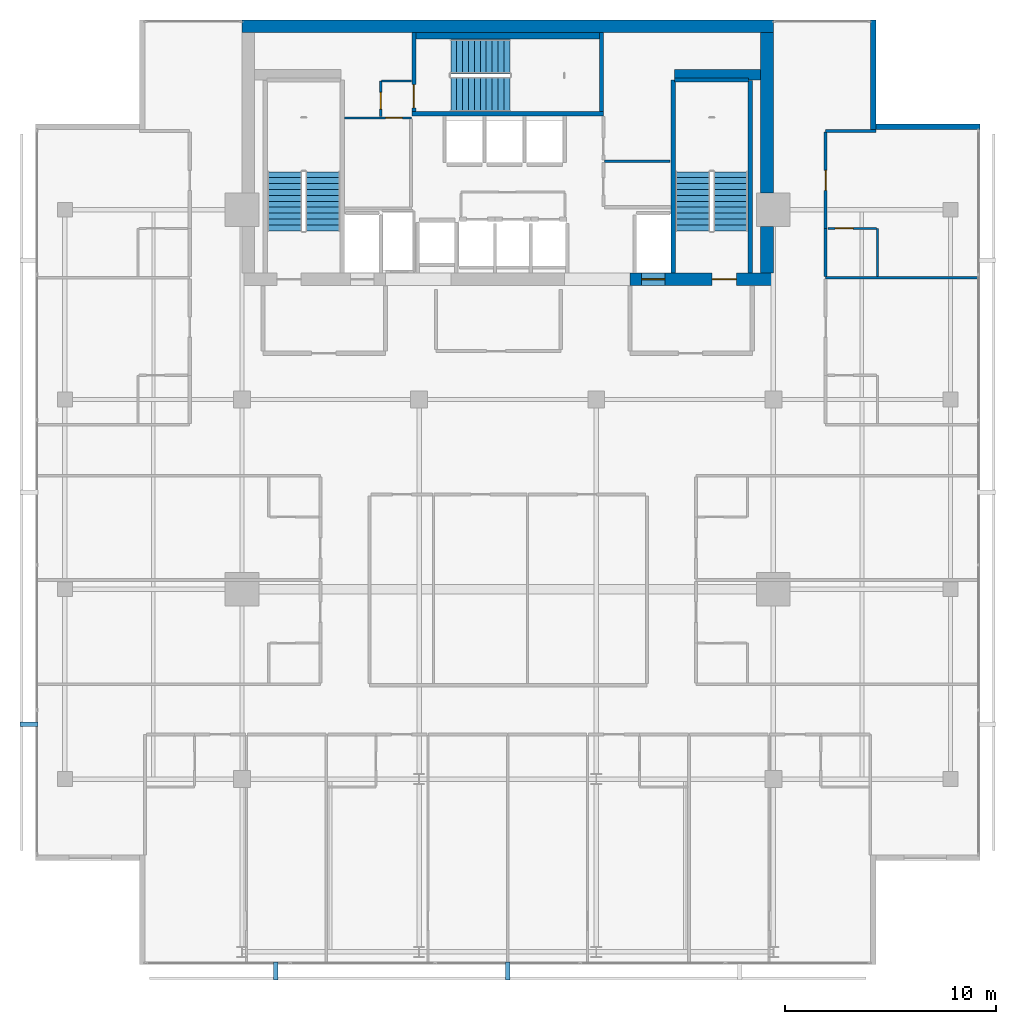
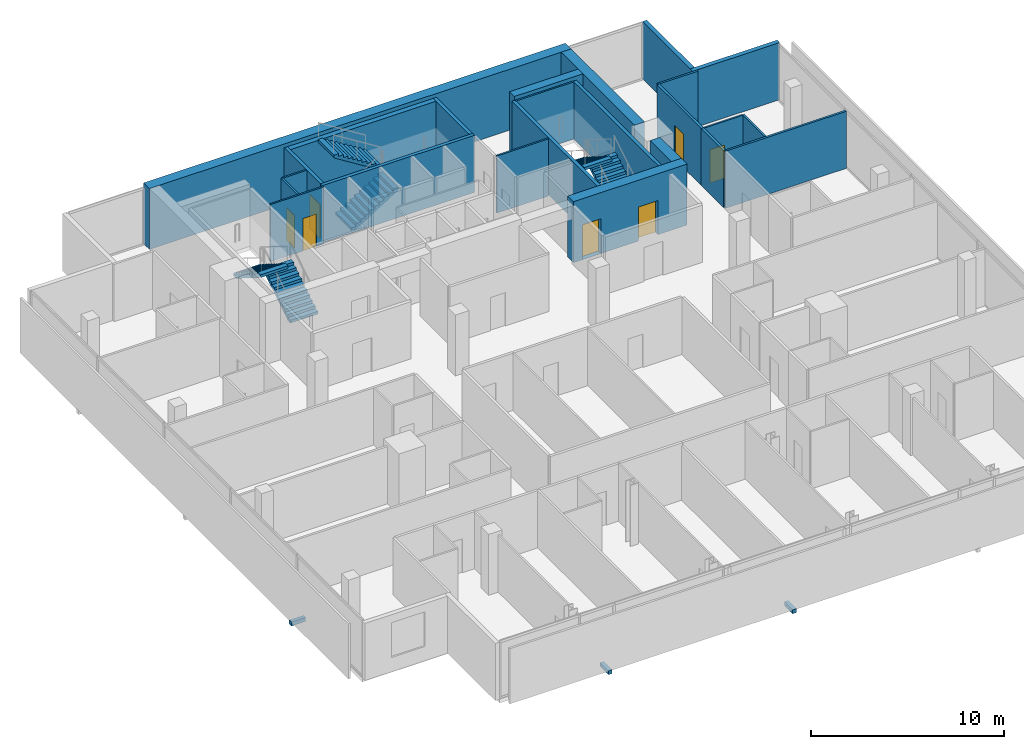
# One storey, part 23 of 26: 24 walls, 7 doors, 6 stair flights, 3 discrete accessories, 7 openings, 3 elements without a shape of their own.
"""IFC4 building model written with IfcOpenShell, lengths in metres."""

from ifc_helpers import new_model, si_unit, direction, frame, frame_2d, origin, origin_2d, place, context, subcontext, project, spatial, polyline, rectangle, outline, extrude, material, layer, layer_set, type_object, element, fill, aggregate, save


model = new_model("IFC4")

# Units and contexts
model_context = context("Model", 3, precision=1e-05, world=origin(), true_north=direction((0.0, 1.0)))
body_context = subcontext(model_context, "Body", "Model", "MODEL_VIEW")
ifc_project = project(units=[si_unit("LENGTHUNIT", "METRE"), si_unit("AREAUNIT", "SQUARE_METRE"), si_unit("VOLUMEUNIT", "CUBIC_METRE"), si_unit("PLANEANGLEUNIT", "RADIAN"), si_unit("MASSUNIT", "GRAM", prefix="KILO")], contexts=[model_context])

# Site, building, storey
site_placement = place(None, origin())
site = spatial("IfcSite", under=ifc_project, at=site_placement, CompositionType="ELEMENT")
building_placement = place(site_placement, origin())
building = spatial("IfcBuilding", under=site, at=building_placement, Name="Maruvema Waterfront Hotel and Observation Tower", CompositionType="ELEMENT")
storey_placement = place(building_placement, frame((0.0, 0.0, 258.64990234375)))
storey = spatial("IfcBuildingStorey", under=building, at=storey_placement, Name="L63", CompositionType="ELEMENT", Elevation=258.64990234375)

# Wall
ifc_material_1 = material(Name="Twin-stud acoustic gypsum drywall", Category="gypsum")
ifc_layer_1 = layer(ifc_material_1, 0.14990234375, Name="Acoustic Corridor and Suite Demising Wall 150 mm")
ifc_layer_set_1 = layer_set([ifc_layer_1], Name="Twin-stud acoustic gypsum drywall")
wall_type_1 = type_object("IfcWallType", Name="Acoustic Corridor and Suite Demising Wall 150 mm", PredefinedType="PARTITIONING", material=ifc_layer_set_1)
wall_1_placement = place(storey_placement, frame((52.8798828125, 41.82861328125, 0.0), z_axis=(0.0, 0.0, 1.0), x_axis=(0.0, 1.0, 0.0)))
element("IfcWall", 1, at=wall_1_placement, inside=storey, type_object=wall_type_1, Name="L63 Bath L63-NE2 Wall 102", PredefinedType="PARTITIONING", context=body_context, shape_type="SweptSolid", body=[
    extrude(rectangle(XDim=2.2900390625, YDim=0.14990234375, at=frame_2d((1.14501953125, 0.0))), origin(), (0.0, 0.0, 1.0), 3.610107421875),
])

# Wall, opening, door
wall_2_placement = place(storey_placement, frame((52.8798828125, 44.11865234375, 0.0), z_axis=(0.0, 0.0, 1.0), x_axis=(0.0, 1.0, 0.0)))
wall_2 = element("IfcWall", 2, at=wall_2_placement, inside=storey, type_object=wall_type_1, Name="L63 Room L63-NE2 Corridor Wall 103", PredefinedType="PARTITIONING", context=body_context, shape_type="SweptSolid", body=[
    extrude(rectangle(XDim=4.558837890625, YDim=0.14990234375, at=frame_2d((2.279296875, 0.0))), origin(), (0.0, 0.0, 1.0), 3.610107421875),
])
opening_1_placement = place(wall_2_placement, frame((1.804443359375, 0.0, 0.0)))
opening_1 = element("IfcOpeningElement", 3, at=opening_1_placement, cuts=wall_2, Name="Opening DR-095", PredefinedType="OPENING", context=body_context, shape_type="SweptSolid", body=[
    extrude(rectangle(XDim=0.949951171875, YDim=2.14990234375, at=frame_2d((0.47509765625, 1.074951171875))), frame((0.0, 0.0849609375, 0.0), z_axis=(0.0, -1.0, 0.0), x_axis=(1.0, 0.0, 0.0)), (0.0, 0.0, 1.0), 0.169921875),
])
ifc_material_2 = material(Name="Acoustic solid-core hardwood timber leaf", Category="wood")
door_type_1 = type_object("IfcDoorType", Name="Guestroom Entrance Fire Door 950x2150 mm", OperationType="NOTDEFINED", PredefinedType="DOOR", material=ifc_material_2)
door_1_placement = place(opening_1_placement, frame((0.949951171875, 0.0, 0.0), z_axis=(0.0, 0.0, 1.0), x_axis=(-1.0, 0.0, 0.0)))
door_1 = element("IfcDoor", 4, at=door_1_placement, inside=storey, type_object=door_type_1, Name="L63 Room L63-NE2 Entrance Door", OperationType="SINGLE_SWING_RIGHT", OverallHeight=2.14990234375, OverallWidth=0.949951171875, PredefinedType="DOOR", context=body_context, shape_type="SweptSolid", body=[
    extrude(rectangle(XDim=0.949951171875, YDim=2.14990234375, at=frame_2d((0.47509765625, 1.074951171875))), frame((0.0, 0.02490234375, 0.0), z_axis=(0.0, -1.0, 0.0), x_axis=(1.0, 0.0, 0.0)), (0.0, 0.0, 1.0), 0.050048828125),
])
fill(opening_1, door_1)

# Walls
ifc_material_3 = material(Name="Precast concrete C45/55", Category="concrete")
ifc_layer_2 = layer(ifc_material_3, 0.300048828125, Name="Core Shaft Furring Wall 300 mm")
ifc_layer_set_2 = layer_set([ifc_layer_2], Name="Precast concrete C45/55")
wall_type_2 = type_object("IfcWallType", Name="Core Shaft Furring Wall 300 mm", PredefinedType="SOLIDWALL", material=ifc_layer_set_2)
wall_3_placement = place(storey_placement, frame((33.449951171875, 53.25, 0.0), z_axis=(0.0, 0.0, 1.0), x_axis=(1.0, 0.0, 0.0)))
element("IfcWall", 5, at=wall_3_placement, inside=storey, type_object=wall_type_2, Name="L63 Stairwell ST-02 North Furring Wall", PredefinedType="SOLIDWALL", context=body_context, shape_type="SweptSolid", body=[
    extrude(rectangle(XDim=8.699951171875, YDim=0.300048828125, at=frame_2d((4.35009765625, 0.0))), origin(), (0.0, 0.0, 1.0), 3.610107421875),
])
ifc_material_4 = material(Name="Precast concrete C45/55", Category="concrete")
ifc_layer_3 = layer(ifc_material_4, 0.199951171875, Name="Core Shaft and Stairwell Enclosure Wall 200 mm")
ifc_layer_set_3 = layer_set([ifc_layer_3], Name="Precast concrete C45/55")
wall_type_3 = type_object("IfcWallType", Name="Core Shaft and Stairwell Enclosure Wall 200 mm", PredefinedType="SOLIDWALL", material=ifc_layer_set_3)
wall_4_placement = place(storey_placement, frame((33.25, 49.550048828125, 0.0), z_axis=(0.0, 0.0, 1.0), x_axis=(1.0, 0.0, 0.0)))
element("IfcWall", 6, at=wall_4_placement, inside=storey, type_object=wall_type_3, Name="L63 Stairwell ST-02 Shaft Wall", PredefinedType="SOLIDWALL", context=body_context, shape_type="SweptSolid", body=[
    extrude(rectangle(XDim=9.10009765625, YDim=0.199951171875, at=frame_2d((4.550048828125, 0.0))), origin(), (0.0, 0.0, 1.0), 3.610107421875),
])
wall_5_placement = place(storey_placement, frame((42.25, 49.64990234375, 0.0), z_axis=(0.0, 0.0, 1.0), x_axis=(0.0, 1.0, 0.0)))
element("IfcWall", 7, at=wall_5_placement, inside=storey, type_object=wall_type_3, Name="L63 Stairwell ST-02 Shaft Wall", PredefinedType="SOLIDWALL", context=body_context, shape_type="SweptSolid", body=[
    extrude(rectangle(XDim=3.75, YDim=0.199951171875, at=frame_2d((1.875, 0.0))), origin(), (0.0, 0.0, 1.0), 3.610107421875),
])

# Wall, opening, door
wall_6_placement = place(storey_placement, frame((33.35009765625, 49.64990234375, 0.0), z_axis=(0.0, 0.0, 1.0), x_axis=(0.0, 1.0, 0.0)))
wall_6 = element("IfcWall", 8, at=wall_6_placement, inside=storey, type_object=wall_type_3, Name="L63 Stairwell ST-02 Shaft Wall", PredefinedType="SOLIDWALL", context=body_context, shape_type="SweptSolid", body=[
    extrude(rectangle(XDim=3.75, YDim=0.199951171875, at=frame_2d((1.875, 0.0))), origin(), (0.0, 0.0, 1.0), 3.610107421875),
])
opening_2_placement = place(wall_6_placement, frame((0.179931640625, 0.0, 0.0)))
opening_2 = element("IfcOpeningElement", 9, at=opening_2_placement, cuts=wall_6, Name="Opening SD-02", PredefinedType="OPENING", context=body_context, shape_type="SweptSolid", body=[
    extrude(rectangle(XDim=1.10009765625, YDim=2.14990234375, at=frame_2d((0.550048828125, 1.074951171875))), frame((0.0, 0.10986328125, 0.0), z_axis=(0.0, -1.0, 0.0), x_axis=(1.0, 0.0, 0.0)), (0.0, 0.0, 1.0), 0.219970703125),
])
ifc_material_5 = material(Name="Fire-rated galvanised steel leaf", Category="steel")
door_type_2 = type_object("IfcDoorType", Name="Central Exit Stair Fire Door 1100x2150 mm", OperationType="NOTDEFINED", PredefinedType="DOOR", material=ifc_material_5)
door_2_placement = place(opening_2_placement, frame((1.10009765625, 0.0, 0.0), z_axis=(0.0, 0.0, 1.0), x_axis=(-1.0, 0.0, 0.0)))
door_2 = element("IfcDoor", 10, at=door_2_placement, inside=storey, type_object=door_type_2, Name="L63 Exit Stair ST-02 Fire Door", OperationType="SINGLE_SWING_LEFT", OverallHeight=2.14990234375, OverallWidth=1.10009765625, PredefinedType="DOOR", context=body_context, shape_type="SweptSolid", body=[
    extrude(rectangle(XDim=1.10009765625, YDim=2.14990234375, at=frame_2d((0.550048828125, 1.074951171875))), frame((0.0, 0.02490234375, 0.0), z_axis=(0.0, -1.0, 0.0), x_axis=(1.0, 0.0, 0.0)), (0.0, 0.0, 1.0), 0.050048828125),
])
fill(opening_2, door_2)

# Walls
wall_7_placement = place(storey_placement, frame((45.64990234375, 42.0, 0.0), z_axis=(0.0, 0.0, 1.0), x_axis=(0.0, 1.0, 0.0)))
element("IfcWall", 11, at=wall_7_placement, inside=storey, type_object=wall_type_3, Name="L63 Stairwell ST-03 West Shaft Wall", PredefinedType="SOLIDWALL", context=body_context, shape_type="SweptSolid", body=[
    extrude(rectangle(XDim=9.14990234375, YDim=0.199951171875, at=frame_2d((4.574951171875, 0.0))), origin(), (0.0, 0.0, 1.0), 3.610107421875),
])
wall_8_placement = place(storey_placement, frame((49.300048828125, 42.0, 0.0), z_axis=(0.0, 0.0, 1.0), x_axis=(0.0, 1.0, 0.0)))
element("IfcWall", 12, at=wall_8_placement, inside=storey, type_object=wall_type_3, Name="L63 Stairwell ST-03 Shaft Lining Wall", PredefinedType="SOLIDWALL", context=body_context, shape_type="SweptSolid", body=[
    extrude(rectangle(XDim=9.1201171875, YDim=0.199951171875, at=frame_2d((4.56005859375, 0.0))), origin(), (0.0, 0.0, 1.0), 3.610107421875),
])
wall_9_placement = place(storey_placement, frame((45.719970703125, 51.14990234375, 0.0), z_axis=(0.0, 0.0, 1.0), x_axis=(1.0, 0.0, 0.0)))
element("IfcWall", 13, at=wall_9_placement, inside=storey, type_object=wall_type_3, Name="L63 Stairwell ST-03 Shaft Lining Wall", PredefinedType="SOLIDWALL", context=body_context, shape_type="SweptSolid", body=[
    extrude(rectangle(XDim=3.5, YDim=0.199951171875, at=frame_2d((1.75, 0.0))), origin(), (0.0, 0.0, 1.0), 3.610107421875),
])
ifc_material_6 = material(Name="Concrete C70/85", Category="concrete")
ifc_layer_4 = layer(ifc_material_6, 0.5, Name="Core Shear Wall 500 mm")
ifc_layer_set_4 = layer_set([ifc_layer_4], Name="Concrete C70/85")
wall_type_4 = type_object("IfcWallType", Name="Core Shear Wall 500 mm", PredefinedType="SHEAR", material=ifc_layer_set_4)
wall_10_placement = place(storey_placement, frame((45.699951171875, 51.39990234375, 0.0), z_axis=(0.0, 0.0, 1.0), x_axis=(1.0, 0.0, 0.0)))
element("IfcWall", 14, at=wall_10_placement, inside=storey, type_object=wall_type_4, Name="L63 Internal Core Shear Wall NE 500 mm", PredefinedType="SHEAR", context=body_context, shape_type="SweptSolid", body=[
    extrude(rectangle(XDim=4.10009765625, YDim=0.5, at=frame_2d((2.050048828125, 0.0))), origin(), (0.0, 0.0, 1.0), 3.85009765625),
])
ifc_material_7 = material(Name="Concrete C60/75", Category="concrete")
ifc_layer_5 = layer(ifc_material_7, 0.60009765625, Name="Core Shear Wall 600 mm")
ifc_layer_set_5 = layer_set([ifc_layer_5], Name="Concrete C60/75")
wall_type_5 = type_object("IfcWallType", Name="Core Shear Wall 600 mm", PredefinedType="SHEAR", material=ifc_layer_set_5)
wall_11_placement = place(storey_placement, frame((25.199951171875, 53.699951171875, 0.0), z_axis=(0.0, 0.0, 1.0), x_axis=(1.0, 0.0, 0.0)))
element("IfcWall", 15, at=wall_11_placement, inside=storey, type_object=wall_type_5, Name="L63 North Core Shear Wall", PredefinedType="SHEAR", context=body_context, shape_type="SweptSolid", body=[
    extrude(rectangle(XDim=25.199951171875, YDim=0.60009765625, at=frame_2d((12.60009765625, 0.0))), origin(), (0.0, 0.0, 1.0), 3.85009765625),
])

# Wall, openings, doors
wall_12_placement = place(storey_placement, frame((43.60009765625, 41.699951171875, 0.0), z_axis=(0.0, 0.0, 1.0), x_axis=(1.0, 0.0, 0.0)))
wall_12 = element("IfcWall", 16, at=wall_12_placement, inside=storey, type_object=wall_type_5, Name="L63 South-East Core Shear Wall", PredefinedType="SHEAR", context=body_context, shape_type="SweptSolid", body=[
    extrude(rectangle(XDim=6.7998046875, YDim=0.60009765625, at=frame_2d((3.39990234375, 0.0))), origin(), (0.0, 0.0, 1.0), 3.85009765625),
])
opening_3_placement = place(wall_12_placement, frame((3.89990234375, 0.0, 0.0)))
opening_3 = element("IfcOpeningElement", 17, at=opening_3_placement, cuts=wall_12, Name="Opening SD-01", PredefinedType="OPENING", context=body_context, shape_type="SweptSolid", body=[
    extrude(rectangle(XDim=1.14990234375, YDim=2.14990234375, at=frame_2d((0.574951171875, 1.074951171875))), frame((0.0, 0.31005859375, 0.0), z_axis=(0.0, -1.0, 0.0), x_axis=(1.0, 0.0, 0.0)), (0.0, 0.0, 1.0), 0.6201171875),
])
opening_4_placement = place(wall_12_placement, frame((0.550048828125, 0.0, 0.0)))
opening_4 = element("IfcOpeningElement", 18, at=opening_4_placement, cuts=wall_12, Name="Opening LD-03", PredefinedType="OPENING", context=body_context, shape_type="SweptSolid", body=[
    extrude(rectangle(XDim=1.10009765625, YDim=2.199951171875, at=frame_2d((0.550048828125, 1.10009765625))), frame((0.0, 0.31005859375, 0.0), z_axis=(0.0, -1.0, 0.0), x_axis=(1.0, 0.0, 0.0)), (0.0, 0.0, 1.0), 0.6201171875),
])
ifc_material_8 = material(Name="Fire-rated galvanised steel leaf", Category="steel")
door_type_3 = type_object("IfcDoorType", Name="Exit Stair Fire Door 1150x2150 mm", OperationType="NOTDEFINED", PredefinedType="DOOR", material=ifc_material_8)
door_3_placement = place(opening_3_placement, origin())
door_3 = element("IfcDoor", 19, at=door_3_placement, inside=storey, type_object=door_type_3, Name="L63 Exit Stair ST-03 Fire Door", OperationType="SINGLE_SWING_RIGHT", OverallHeight=2.14990234375, OverallWidth=1.14990234375, PredefinedType="DOOR", context=body_context, shape_type="SweptSolid", body=[
    extrude(rectangle(XDim=1.14990234375, YDim=2.14990234375, at=frame_2d((0.574951171875, 1.074951171875))), frame((0.0, 0.02490234375, 0.0), z_axis=(0.0, -1.0, 0.0), x_axis=(1.0, 0.0, 0.0)), (0.0, 0.0, 1.0), 0.050048828125),
])
fill(opening_3, door_3)
ifc_material_9 = material(Name="Brushed stainless steel Grade 316", Category="steel")
door_type_4 = type_object("IfcDoorType", Name="Firefighting Lift Sliding Landing Door 1100x2200 mm", OperationType="SLIDING_TO_LEFT", PredefinedType="DOOR", material=ifc_material_9)
door_4_placement = place(opening_4_placement, frame((1.10009765625, 0.0, 0.0), z_axis=(0.0, 0.0, 1.0), x_axis=(-1.0, 0.0, 0.0)))
door_4 = element("IfcDoor", 20, at=door_4_placement, inside=storey, type_object=door_type_4, Name="L63 Firefighting Lift FL-02 Landing Door", OperationType="SLIDING_TO_LEFT", OverallHeight=2.199951171875, OverallWidth=1.10009765625, PredefinedType="DOOR", context=body_context, shape_type="SweptSolid", body=[
    extrude(rectangle(XDim=1.10009765625, YDim=2.199951171875, at=frame_2d((0.550048828125, 1.10009765625))), frame((0.0, 0.02490234375, 0.0), z_axis=(0.0, -1.0, 0.0), x_axis=(1.0, 0.0, 0.0)), (0.0, 0.0, 1.0), 0.050048828125),
])
fill(opening_4, door_4)

# Walls
wall_13_placement = place(storey_placement, frame((50.10009765625, 42.0, 0.0), z_axis=(0.0, 0.0, 1.0), x_axis=(0.0, 1.0, 0.0)))
element("IfcWall", 21, at=wall_13_placement, inside=storey, type_object=wall_type_5, Name="L63 East-South Core Shear Wall", PredefinedType="SHEAR", context=body_context, shape_type="SweptSolid", body=[
    extrude(rectangle(XDim=2.199951171875, YDim=0.60009765625, at=frame_2d((1.10009765625, 0.0))), origin(), (0.0, 0.0, 1.0), 3.85009765625),
])
wall_14_placement = place(storey_placement, frame((50.10009765625, 45.800048828125, 0.0), z_axis=(0.0, 0.0, 1.0), x_axis=(0.0, 1.0, 0.0)))
element("IfcWall", 22, at=wall_14_placement, inside=storey, type_object=wall_type_5, Name="L63 East-North Core Shear Wall", PredefinedType="SHEAR", context=body_context, shape_type="SweptSolid", body=[
    extrude(rectangle(XDim=7.599853515625, YDim=0.60009765625, at=frame_2d((3.7998046875, 0.0))), origin(), (0.0, 0.0, 1.0), 3.85009765625),
])

# Wall, opening, door
ifc_material_10 = material(Name="Moisture-resistant cement-board drywall", Category="gypsum")
ifc_layer_6 = layer(ifc_material_10, 0.10009765625, Name="En-Suite Moisture-Resistant Partition 100 mm")
ifc_layer_set_6 = layer_set([ifc_layer_6], Name="Moisture-resistant cement-board drywall")
wall_type_6 = type_object("IfcWallType", Name="En-Suite Moisture-Resistant Partition 100 mm", PredefinedType="PARTITIONING", material=ifc_layer_set_6)
wall_15_placement = place(storey_placement, frame((30.06005859375, 49.360107421875, 0.0), z_axis=(0.0, 0.0, 1.0), x_axis=(1.0, 0.0, 0.0)))
wall_15 = element("IfcWall", 23, at=wall_15_placement, inside=storey, type_object=wall_type_6, Name="L63 Freed B1 Mid Wall 015", PredefinedType="PARTITIONING", context=body_context, shape_type="SweptSolid", body=[
    extrude(rectangle(XDim=3.179931640625, YDim=0.10009765625, at=frame_2d((1.58984375, 0.0))), origin(), (0.0, 0.0, 1.0), 3.610107421875),
])
opening_5_placement = place(wall_15_placement, frame((1.949951171875, 0.0, 0.0)))
opening_5 = element("IfcOpeningElement", 24, at=opening_5_placement, cuts=wall_15, Name="Opening DR-080", PredefinedType="OPENING", context=body_context, shape_type="SweptSolid", body=[
    extrude(rectangle(XDim=0.800048828125, YDim=2.050048828125, at=frame_2d((0.39990234375, 1.02490234375))), frame((0.0, 0.06005859375, 0.0), z_axis=(0.0, -1.0, 0.0), x_axis=(1.0, 0.0, 0.0)), (0.0, 0.0, 1.0), 0.1201171875),
])
ifc_material_11 = material(Name="Powder-coated steel access leaf", Category="steel")
door_type_5 = type_object("IfcDoorType", Name="Riser and Service Cupboard Door 800x2050 mm", OperationType="NOTDEFINED", PredefinedType="DOOR", material=ifc_material_11)
door_5_placement = place(opening_5_placement, origin())
door_5 = element("IfcDoor", 25, at=door_5_placement, inside=storey, type_object=door_type_5, Name="L63 Housekeeping and Linen Room Door", OperationType="SINGLE_SWING_LEFT", OverallHeight=2.050048828125, OverallWidth=0.800048828125, PredefinedType="DOOR", context=body_context, shape_type="SweptSolid", body=[
    extrude(rectangle(XDim=0.800048828125, YDim=2.050048828125, at=frame_2d((0.39990234375, 1.02490234375))), frame((0.0, 0.02490234375, 0.0), z_axis=(0.0, -1.0, 0.0), x_axis=(1.0, 0.0, 0.0)), (0.0, 0.0, 1.0), 0.050048828125),
])
fill(opening_5, door_5)

wall_16_placement = place(storey_placement, frame((31.780029296875, 49.419921875, 0.0), z_axis=(0.0, 0.0, 1.0), x_axis=(0.0, 1.0, 0.0)))
wall_16 = element("IfcWall", 26, at=wall_16_placement, inside=storey, type_object=wall_type_6, Name="L63 Freed B1 NW East Wall 016", PredefinedType="PARTITIONING", context=body_context, shape_type="SweptSolid", body=[
    extrude(rectangle(XDim=1.68017578125, YDim=0.10009765625, at=frame_2d((0.840087890625, 0.0))), origin(), (0.0, 0.0, 1.0), 3.610107421875),
])
opening_6_placement = place(wall_16_placement, frame((0.35009765625, 0.0, 0.0)))
opening_6 = element("IfcOpeningElement", 27, at=opening_6_placement, cuts=wall_16, Name="Opening DR-080", PredefinedType="OPENING", context=body_context, shape_type="SweptSolid", body=[
    extrude(rectangle(XDim=0.800048828125, YDim=2.050048828125, at=frame_2d((0.39990234375, 1.02490234375))), frame((0.0, 0.06005859375, 0.0), z_axis=(0.0, -1.0, 0.0), x_axis=(1.0, 0.0, 0.0)), (0.0, 0.0, 1.0), 0.1201171875),
])
door_6_placement = place(opening_6_placement, origin())
door_6 = element("IfcDoor", 28, at=door_6_placement, inside=storey, type_object=door_type_5, Name="L63 Guest Floor Pantry Door", OperationType="SINGLE_SWING_RIGHT", OverallHeight=2.050048828125, OverallWidth=0.800048828125, PredefinedType="DOOR", context=body_context, shape_type="SweptSolid", body=[
    extrude(rectangle(XDim=0.800048828125, YDim=2.050048828125, at=frame_2d((0.39990234375, 1.02490234375))), frame((0.0, 0.02490234375, 0.0), z_axis=(0.0, -1.0, 0.0), x_axis=(1.0, 0.0, 0.0)), (0.0, 0.0, 1.0), 0.050048828125),
])
fill(opening_6, door_6)

# Walls
wall_17_placement = place(storey_placement, frame((31.820068359375, 51.10009765625, 0.0), z_axis=(0.0, 0.0, 1.0), x_axis=(1.0, 0.0, 0.0)))
element("IfcWall", 29, at=wall_17_placement, inside=storey, type_object=wall_type_6, Name="L63 Freed B1 Vestibule North Wall 017", PredefinedType="PARTITIONING", context=body_context, shape_type="SweptSolid", body=[
    extrude(rectangle(XDim=1.419921875, YDim=0.10009765625, at=frame_2d((0.7099609375, 0.0))), origin(), (0.0, 0.0, 1.0), 3.610107421875),
])
wall_18_placement = place(storey_placement, frame((42.39990234375, 47.300048828125, 0.0), z_axis=(0.0, 0.0, 1.0), x_axis=(1.0, 0.0, 0.0)))
element("IfcWall", 30, at=wall_18_placement, inside=storey, type_object=wall_type_6, Name="L63 Freed B2 Split 020", PredefinedType="PARTITIONING", context=body_context, shape_type="SweptSolid", body=[
    extrude(rectangle(XDim=3.10009765625, YDim=0.10009765625, at=frame_2d((1.550048828125, 0.0))), origin(), (0.0, 0.0, 1.0), 3.610107421875),
])
wall_19_placement = place(storey_placement, frame((55.330078125, 41.82861328125, 0.0), z_axis=(0.0, 0.0, 1.0), x_axis=(0.0, 1.0, 0.0)))
element("IfcWall", 31, at=wall_19_placement, inside=storey, type_object=wall_type_6, Name="L63 En-Suite L63-NE2 E 104", PredefinedType="PARTITIONING", context=body_context, shape_type="SweptSolid", body=[
    extrude(rectangle(XDim=2.2900390625, YDim=0.10009765625, at=frame_2d((1.14501953125, 0.0))), origin(), (0.0, 0.0, 1.0), 3.610107421875),
])

# Wall, opening, door
wall_20_placement = place(storey_placement, frame((52.97998046875, 44.11865234375, 0.0), z_axis=(0.0, 0.0, 1.0), x_axis=(1.0, 0.0, 0.0)))
wall_20 = element("IfcWall", 32, at=wall_20_placement, inside=storey, type_object=wall_type_6, Name="L63 En-Suite L63-NE2 N 105", PredefinedType="PARTITIONING", context=body_context, shape_type="SweptSolid", body=[
    extrude(rectangle(XDim=2.300048828125, YDim=0.10009765625, at=frame_2d((1.14990234375, 0.0))), origin(), (0.0, 0.0, 1.0), 3.610107421875),
])
opening_7_placement = place(wall_20_placement, frame((0.35009765625, 0.0, 0.0)))
opening_7 = element("IfcOpeningElement", 33, at=opening_7_placement, cuts=wall_20, Name="Opening DR-085", PredefinedType="OPENING", context=body_context, shape_type="SweptSolid", body=[
    extrude(rectangle(XDim=0.85009765625, YDim=2.10009765625, at=frame_2d((0.425048828125, 1.050048828125))), frame((0.0, 0.06005859375, 0.0), z_axis=(0.0, -1.0, 0.0), x_axis=(1.0, 0.0, 0.0)), (0.0, 0.0, 1.0), 0.1201171875),
])
ifc_material_12 = material(Name="Moisture-resistant solid timber leaf", Category="wood")
door_type_6 = type_object("IfcDoorType", Name="En-Suite Bathroom Door 850x2100 mm", OperationType="NOTDEFINED", PredefinedType="DOOR", material=ifc_material_12)
door_7_placement = place(opening_7_placement, origin())
door_7 = element("IfcDoor", 34, at=door_7_placement, inside=storey, type_object=door_type_6, Name="L63 En-Suite L63-NE2 Door", OperationType="SINGLE_SWING_LEFT", OverallHeight=2.10009765625, OverallWidth=0.85009765625, PredefinedType="DOOR", context=body_context, shape_type="SweptSolid", body=[
    extrude(rectangle(XDim=0.85009765625, YDim=2.10009765625, at=frame_2d((0.425048828125, 1.050048828125))), frame((0.0, 0.02490234375, 0.0), z_axis=(0.0, -1.0, 0.0), x_axis=(1.0, 0.0, 0.0)), (0.0, 0.0, 1.0), 0.050048828125),
])
fill(opening_7, door_7)

# Walls
ifc_material_13 = material(Name="Precast concrete C45/55 with honed Pernambuco granite facing", Category="masonry")
ifc_layer_7 = layer(ifc_material_13, 0.260009765625, Name="Exterior Granite Clad Spandrel and Pier Wall 260 mm")
ifc_layer_set_7 = layer_set([ifc_layer_7], Name="Precast concrete C45/55 with honed Pernambuco granite facing")
wall_type_7 = type_object("IfcWallType", Name="Exterior Granite Clad Spandrel and Pier Wall 260 mm", PredefinedType="SOLIDWALL", material=ifc_layer_set_7)
for number, where, z_axis, x_axis, name in (
    (35, (55.1298828125, 54.0, 0.0), (0.0, 0.0, 1.0), (0.0, -1.0, 0.0), "L63 Corner Notch Granite Pier Wall NE1"),
    (36, (55.0, 48.929931640625, 0.0), (0.0, 0.0, 1.0), (1.0, 0.0, 0.0), "L63 Corner Notch Granite Pier Wall NE2"),
):
    element("IfcWall", number, at=place(storey_placement, frame(where, z_axis=z_axis, x_axis=x_axis)), inside=storey, type_object=wall_type_7, Name=name, PredefinedType="SOLIDWALL", context=body_context, shape_type="SweptSolid", body=[
        extrude(rectangle(XDim=5.199951171875, YDim=0.260009765625, at=frame_2d((2.60009765625, 0.0))), origin(), (0.0, 0.0, 1.0), 3.610107421875),
    ])
ifc_material_14 = material(Name="Acoustic gypsum plasterboard drywall", Category="gypsum")
ifc_layer_8 = layer(ifc_material_14, 0.125, Name="Guestroom Acoustic Demising Wall 125 mm")
ifc_layer_set_8 = layer_set([ifc_layer_8], Name="Acoustic gypsum plasterboard drywall")
wall_type_8 = type_object("IfcWallType", Name="Guestroom Acoustic Demising Wall 125 mm", PredefinedType="PARTITIONING", material=ifc_layer_set_8)
wall_21_placement = place(storey_placement, frame((52.8798828125, 48.737548828125, 0.0), z_axis=(0.0, 0.0, 1.0), x_axis=(1.0, 0.0, 0.0)))
element("IfcWall", 37, at=wall_21_placement, inside=storey, type_object=wall_type_8, Name="L63 Z3 NE Top End 087", PredefinedType="PARTITIONING", context=body_context, shape_type="SweptSolid", body=[
    extrude(rectangle(XDim=2.380126953125, YDim=0.125, at=frame_2d((1.18994140625, 0.0))), origin(), (0.0, 0.0, 1.0), 3.610107421875),
])
wall_22_placement = place(storey_placement, frame((52.8798828125, 41.768798828125, 0.0), z_axis=(0.0, 0.0, 1.0), x_axis=(1.0, 0.0, 0.0)))
element("IfcWall", 38, at=wall_22_placement, inside=storey, type_object=wall_type_8, Name="L63 Z3 NE Demising 2 097", PredefinedType="PARTITIONING", context=body_context, shape_type="SweptSolid", body=[
    extrude(rectangle(XDim=7.22021484375, YDim=0.125, at=frame_2d((3.610107421875, 0.0))), origin(), (0.0, 0.0, 1.0), 3.610107421875),
])

# Stair, stair flights
ifc_material_15 = material(Name="Concrete C50/60", Category="concrete")
stair_type = type_object("IfcStairType", Name="Dogleg Exit Stair 1650 mm (22R x 175.0 mm)", PredefinedType="HALF_TURN_STAIR", material=ifc_material_15)
stair_1_placement = place(storey_placement, origin())
stair_1 = element("IfcStair", 39, at=stair_1_placement, inside=storey, type_object=stair_type, Name="L63 ST-01", PredefinedType="HALF_TURN_STAIR")
ifc_material_16 = material(Name="Concrete C50/60", Category="concrete")
stair_flight_type = type_object("IfcStairFlightType", Name="Reinforced Concrete Stair Flight 1650 mm (11R x 175.0 mm)", PredefinedType="STRAIGHT", material=ifc_material_16)
stair_flight_1_placement = place(storey_placement, frame((29.02490234375, 44.0, 0.0), z_axis=(0.0, 0.0, 1.0), x_axis=(0.0, 1.0, 0.0)))
stair_flight_1 = element("IfcStairFlight", 40, at=stair_flight_1_placement, type_object=stair_flight_type, Name="ST-01 flight 1", NumberOfRisers=11, NumberOfTreads=10, PredefinedType="STRAIGHT", RiserHeight=0.175, TreadLength=0.28, context=body_context, shape_type="SweptSolid", body=[
    extrude(outline(polyline([(0.0, 0.0), (0.0, 0.175048828125), (0.280029296875, 0.175048828125), (0.280029296875, 0.35009765625), (0.56005859375, 0.35009765625), (0.56005859375, 0.52490234375), (0.840087890625, 0.52490234375), (0.840087890625, 0.699951171875), (1.1201171875, 0.699951171875), (1.1201171875, 0.875), (1.39990234375, 0.875), (1.39990234375, 1.050048828125), (1.679931640625, 1.050048828125), (1.679931640625, 1.22509765625), (1.9599609375, 1.22509765625), (1.9599609375, 1.39990234375), (2.239990234375, 1.39990234375), (2.239990234375, 1.574951171875), (2.52001953125, 1.574951171875), (2.52001953125, 1.75), (2.800048828125, 1.75), (2.800048828125, 1.925048828125), (2.800048828125, 1.5732421875), (0.28271484375, 0.0), (0.0, 0.0)])), frame((0.0, 0.824951171875, 0.0), z_axis=(0.0, -1.0, 0.0), x_axis=(1.0, 0.0, 0.0)), (0.0, 0.0, 1.0), 1.64990234375),
])
stair_flight_2_placement = place(storey_placement, frame((27.22509765625, 46.800048828125, 1.925048828125), z_axis=(0.0, 0.0, 1.0), x_axis=(0.0, -1.0, 0.0)))
stair_flight_2 = element("IfcStairFlight", 41, at=stair_flight_2_placement, type_object=stair_flight_type, Name="ST-01 flight 2", NumberOfRisers=11, NumberOfTreads=10, PredefinedType="STRAIGHT", RiserHeight=0.175, TreadLength=0.28, context=body_context, shape_type="SweptSolid", body=[
    extrude(outline(polyline([(0.0, 0.0), (0.0, 0.175048828125), (0.280029296875, 0.175048828125), (0.280029296875, 0.35009765625), (0.56005859375, 0.35009765625), (0.56005859375, 0.52490234375), (0.840087890625, 0.52490234375), (0.840087890625, 0.699951171875), (1.1201171875, 0.699951171875), (1.1201171875, 0.875), (1.39990234375, 0.875), (1.39990234375, 1.050048828125), (1.679931640625, 1.050048828125), (1.679931640625, 1.22509765625), (1.9599609375, 1.22509765625), (1.9599609375, 1.39990234375), (2.239990234375, 1.39990234375), (2.239990234375, 1.574951171875), (2.52001953125, 1.574951171875), (2.52001953125, 1.75), (2.800048828125, 1.75), (2.800048828125, 1.925048828125), (2.800048828125, 1.5732421875), (0.28271484375, 0.0), (0.0, 0.0)])), frame((0.0, 0.824951171875, 0.0), z_axis=(0.0, -1.0, 0.0), x_axis=(1.0, 0.0, 0.0)), (0.0, 0.0, 1.0), 1.64990234375),
])
aggregate(stair_1, [stair_flight_1, stair_flight_2])

stair_2_placement = place(storey_placement, origin())
stair_2 = element("IfcStair", 42, at=stair_2_placement, inside=storey, type_object=stair_type, Name="L63 ST-02", PredefinedType="HALF_TURN_STAIR")
stair_flight_3_placement = place(storey_placement, frame((35.10009765625, 50.47509765625, 0.0), z_axis=(0.0, 0.0, 1.0), x_axis=(1.0, 0.0, 0.0)))
stair_flight_3 = element("IfcStairFlight", 43, at=stair_flight_3_placement, type_object=stair_flight_type, Name="ST-02 flight 1", NumberOfRisers=11, NumberOfTreads=10, PredefinedType="STRAIGHT", RiserHeight=0.175, TreadLength=0.28, context=body_context, shape_type="SweptSolid", body=[
    extrude(outline(polyline([(0.0, 0.0), (0.0, 0.175048828125), (0.280029296875, 0.175048828125), (0.280029296875, 0.35009765625), (0.56005859375, 0.35009765625), (0.56005859375, 0.52490234375), (0.840087890625, 0.52490234375), (0.840087890625, 0.699951171875), (1.1201171875, 0.699951171875), (1.1201171875, 0.875), (1.39990234375, 0.875), (1.39990234375, 1.050048828125), (1.679931640625, 1.050048828125), (1.679931640625, 1.22509765625), (1.9599609375, 1.22509765625), (1.9599609375, 1.39990234375), (2.239990234375, 1.39990234375), (2.239990234375, 1.574951171875), (2.52001953125, 1.574951171875), (2.52001953125, 1.75), (2.800048828125, 1.75), (2.800048828125, 1.925048828125), (2.800048828125, 1.5732421875), (0.28271484375, 0.0), (0.0, 0.0)])), frame((0.0, 0.824951171875, 0.0), z_axis=(0.0, -1.0, 0.0), x_axis=(1.0, 0.0, 0.0)), (0.0, 0.0, 1.0), 1.64990234375),
])
stair_flight_4_placement = place(storey_placement, frame((37.89990234375, 52.27490234375, 1.925048828125), z_axis=(0.0, 0.0, 1.0), x_axis=(-1.0, 0.0, 0.0)))
stair_flight_4 = element("IfcStairFlight", 44, at=stair_flight_4_placement, type_object=stair_flight_type, Name="ST-02 flight 2", NumberOfRisers=11, NumberOfTreads=10, PredefinedType="STRAIGHT", RiserHeight=0.175, TreadLength=0.28, context=body_context, shape_type="SweptSolid", body=[
    extrude(outline(polyline([(0.0, 0.0), (0.0, 0.175048828125), (0.280029296875, 0.175048828125), (0.280029296875, 0.35009765625), (0.56005859375, 0.35009765625), (0.56005859375, 0.52490234375), (0.840087890625, 0.52490234375), (0.840087890625, 0.699951171875), (1.1201171875, 0.699951171875), (1.1201171875, 0.875), (1.39990234375, 0.875), (1.39990234375, 1.050048828125), (1.679931640625, 1.050048828125), (1.679931640625, 1.22509765625), (1.9599609375, 1.22509765625), (1.9599609375, 1.39990234375), (2.239990234375, 1.39990234375), (2.239990234375, 1.574951171875), (2.52001953125, 1.574951171875), (2.52001953125, 1.75), (2.800048828125, 1.75), (2.800048828125, 1.925048828125), (2.800048828125, 1.5732421875), (0.28271484375, 0.0), (0.0, 0.0)])), frame((0.0, 0.824951171875, 0.0), z_axis=(0.0, -1.0, 0.0), x_axis=(1.0, 0.0, 0.0)), (0.0, 0.0, 1.0), 1.64990234375),
])
aggregate(stair_2, [stair_flight_3, stair_flight_4])

stair_3_placement = place(storey_placement, origin())
stair_3 = element("IfcStair", 45, at=stair_3_placement, inside=storey, type_object=stair_type, Name="L63 ST-03", PredefinedType="HALF_TURN_STAIR")
stair_flight_5_placement = place(storey_placement, frame((48.375, 44.0, 0.0), z_axis=(0.0, 0.0, 1.0), x_axis=(0.0, 1.0, 0.0)))
stair_flight_5 = element("IfcStairFlight", 46, at=stair_flight_5_placement, type_object=stair_flight_type, Name="ST-03 flight 1", NumberOfRisers=11, NumberOfTreads=10, PredefinedType="STRAIGHT", RiserHeight=0.175, TreadLength=0.28, context=body_context, shape_type="SweptSolid", body=[
    extrude(outline(polyline([(0.0, 0.0), (0.0, 0.175048828125), (0.280029296875, 0.175048828125), (0.280029296875, 0.35009765625), (0.56005859375, 0.35009765625), (0.56005859375, 0.52490234375), (0.840087890625, 0.52490234375), (0.840087890625, 0.699951171875), (1.1201171875, 0.699951171875), (1.1201171875, 0.875), (1.39990234375, 0.875), (1.39990234375, 1.050048828125), (1.679931640625, 1.050048828125), (1.679931640625, 1.22509765625), (1.9599609375, 1.22509765625), (1.9599609375, 1.39990234375), (2.239990234375, 1.39990234375), (2.239990234375, 1.574951171875), (2.52001953125, 1.574951171875), (2.52001953125, 1.75), (2.800048828125, 1.75), (2.800048828125, 1.925048828125), (2.800048828125, 1.5732421875), (0.28271484375, 0.0), (0.0, 0.0)])), frame((0.0, 0.824951171875, 0.0), z_axis=(0.0, -1.0, 0.0), x_axis=(1.0, 0.0, 0.0)), (0.0, 0.0, 1.0), 1.64990234375),
])
stair_flight_6_placement = place(storey_placement, frame((46.574951171875, 46.800048828125, 1.925048828125), z_axis=(0.0, 0.0, 1.0), x_axis=(0.0, -1.0, 0.0)))
stair_flight_6 = element("IfcStairFlight", 47, at=stair_flight_6_placement, type_object=stair_flight_type, Name="ST-03 flight 2", NumberOfRisers=11, NumberOfTreads=10, PredefinedType="STRAIGHT", RiserHeight=0.175, TreadLength=0.28, context=body_context, shape_type="SweptSolid", body=[
    extrude(outline(polyline([(0.0, 0.0), (0.0, 0.175048828125), (0.280029296875, 0.175048828125), (0.280029296875, 0.35009765625), (0.56005859375, 0.35009765625), (0.56005859375, 0.52490234375), (0.840087890625, 0.52490234375), (0.840087890625, 0.699951171875), (1.1201171875, 0.699951171875), (1.1201171875, 0.875), (1.39990234375, 0.875), (1.39990234375, 1.050048828125), (1.679931640625, 1.050048828125), (1.679931640625, 1.22509765625), (1.9599609375, 1.22509765625), (1.9599609375, 1.39990234375), (2.239990234375, 1.39990234375), (2.239990234375, 1.574951171875), (2.52001953125, 1.574951171875), (2.52001953125, 1.75), (2.800048828125, 1.75), (2.800048828125, 1.925048828125), (2.800048828125, 1.5732421875), (0.28271484375, 0.0), (0.0, 0.0)])), frame((0.0, 0.824951171875, 0.0), z_axis=(0.0, -1.0, 0.0), x_axis=(1.0, 0.0, 0.0)), (0.0, 0.0, 1.0), 1.64990234375),
])
aggregate(stair_3, [stair_flight_5, stair_flight_6])

# Discrete accessories
ifc_material_17 = material(Name="Duplex stainless steel Grade 2205", Category="steel")
discrete_accessory_type = type_object("IfcDiscreteAccessoryType", Name="Double-Skin Cavity Stainless Outrigger Bracket", PredefinedType="BRACKET", material=ifc_material_17)
for number, where, z_axis, x_axis, name in (
    (48, (26.7919921875, 8.89990234375, -0.14013671875), (0.0, 0.0, 1.0), (1.0, 0.0, 0.0), "L63 Outer Skin Support Bracket 1"),
    (49, (37.800048828125, 8.89990234375, -0.14013671875), (0.0, 0.0, 1.0), (1.0, 0.0, 0.0), "L63 Outer Skin Support Bracket 2"),
    (50, (15.10009765625, 20.592041015625, -0.14013671875), (0.0, 0.0, 1.0), (0.0, -1.0, 0.0), "L63 Outer Skin Support Bracket 3"),
):
    element("IfcDiscreteAccessory", number, at=place(storey_placement, frame(where, z_axis=z_axis, x_axis=x_axis)), inside=storey, type_object=discrete_accessory_type, Name=name, PredefinedType="BRACKET", context=body_context, shape_type="SweptSolid", body=[
        extrude(rectangle(XDim=0.219970703125, YDim=0.860107421875, at=origin_2d()), origin(), (0.0, 0.0, 1.0), 0.239990234375),
    ])

save(model, "model.ifc")
